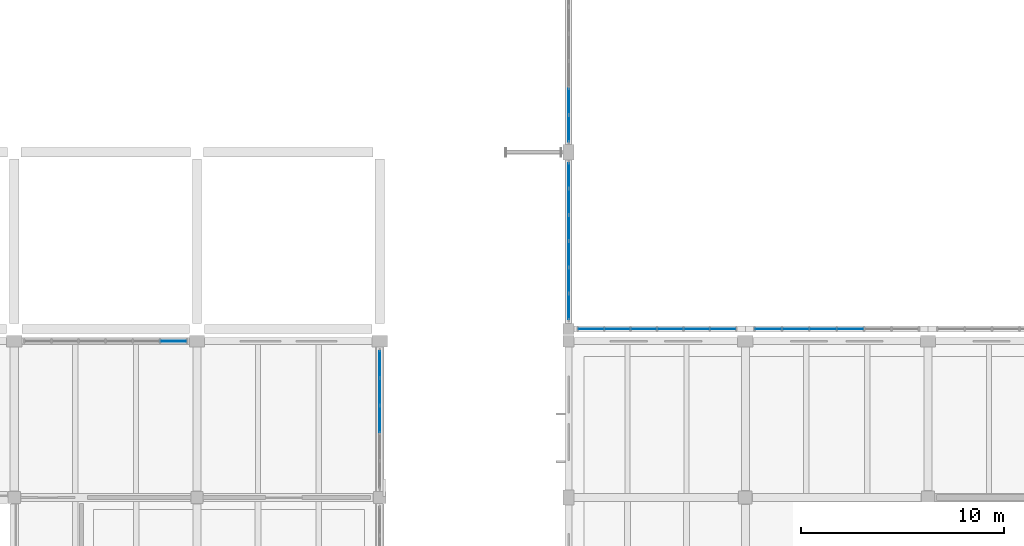
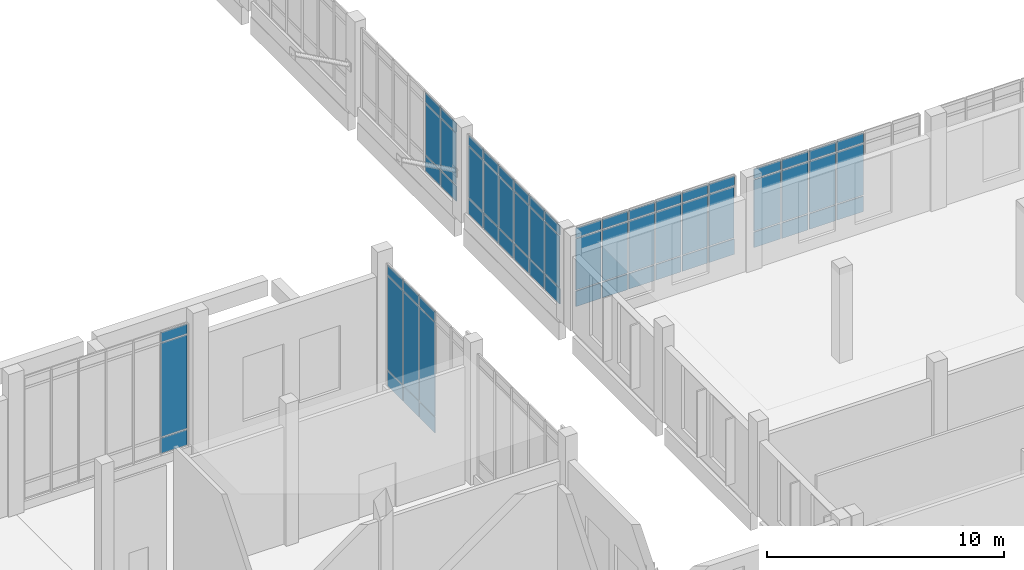
# One storey, part 63 of 110: 66 plates, 6 elements without a shape of their own.
"""IFC4 building model written with IfcOpenShell, lengths in metres."""

from ifc_helpers import new_model, si_unit, direction, frame, origin, origin_2d, place, context, subcontext, project, spatial, rectangle, extrude, material, layer, layer_set, type_object, element, aggregate, save


model = new_model("IFC4")

# Units and contexts
model_context = context("Model", 3, precision=1e-05, world=origin(), true_north=direction((0.0, 1.0)))
body_context = subcontext(model_context, "Body", "Model", "MODEL_VIEW")
ifc_project = project(units=[si_unit("LENGTHUNIT", "METRE"), si_unit("AREAUNIT", "SQUARE_METRE"), si_unit("VOLUMEUNIT", "CUBIC_METRE"), si_unit("PLANEANGLEUNIT", "RADIAN"), si_unit("MASSUNIT", "GRAM", prefix="KILO")], contexts=[model_context])

# Site, building, storey
site_placement = place(None, origin())
site = spatial("IfcSite", under=ifc_project, at=site_placement, CompositionType="ELEMENT")
building_placement = place(site_placement, origin())
building = spatial("IfcBuilding", under=site, at=building_placement, Name="Zacnel Wholesale Market", CompositionType="ELEMENT")
storey_placement = place(building_placement, frame((0.0, 0.0, 6.300048828125)))
storey = spatial("IfcBuildingStorey", under=building, at=storey_placement, Name="L02", CompositionType="ELEMENT", Elevation=6.300048828125)

# Curtain wall, plates
ifc_material_1 = material(Name="Anodised aluminium", Category="aluminium")
ifc_layer_1 = layer(ifc_material_1, 0.159912109375)
ifc_layer_set_1 = layer_set([ifc_layer_1], Name="Anodised aluminium")
curtain_wall_type_1 = type_object("IfcCurtainWallType", Name="CW-NAVE-4200", PredefinedType="NOTDEFINED", material=ifc_layer_set_1)
curtain_wall_1_placement = place(storey_placement, origin())
curtain_wall_1 = element("IfcCurtainWall", 1, at=curtain_wall_1_placement, inside=storey, type_object=curtain_wall_type_1, Name="Curtain wall ENV-R2-CW-L02-037", PredefinedType="NOTDEFINED")
ifc_material_2 = material(Name="Laminated hurricane-impact low-E insulated glass", Category="glass")
ifc_layer_2 = layer(ifc_material_2, 0.031982421875)
ifc_layer_set_2 = layer_set([ifc_layer_2], Name="Laminated hurricane-impact low-E insulated glass")
plate_type_1 = type_object("IfcPlateType", Name="CWP-PNL-02", PredefinedType="CURTAIN_PANEL", material=ifc_layer_set_2)
plate_1_placement = place(storey_placement, frame((145.39990234375, 48.300048828125, 1.330078125), z_axis=(0.0, 0.0, 1.0), x_axis=(1.0, 0.0, 0.0)))
plate_1 = element("IfcPlate", 2, at=plate_1_placement, type_object=plate_type_1, Name="ENV-R2-CW-L02-037 panel 1-2", PredefinedType="CURTAIN_PANEL", context=body_context, shape_type="SweptSolid", body=[
    extrude(rectangle(XDim=1.22998046875, YDim=0.031982421875, at=origin_2d()), origin(), (0.0, 0.0, 1.0), 2.639892578125),
])
plate_2_placement = place(storey_placement, frame((146.699951171875, 48.300048828125, 1.330078125), z_axis=(0.0, 0.0, 1.0), x_axis=(1.0, 0.0, 0.0)))
plate_2 = element("IfcPlate", 3, at=plate_2_placement, type_object=plate_type_1, Name="ENV-R2-CW-L02-037 panel 2-2", PredefinedType="CURTAIN_PANEL", context=body_context, shape_type="SweptSolid", body=[
    extrude(rectangle(XDim=1.22998046875, YDim=0.031982421875, at=origin_2d()), origin(), (0.0, 0.0, 1.0), 2.639892578125),
])
plate_3_placement = place(storey_placement, frame((148.0, 48.300048828125, 1.330078125), z_axis=(0.0, 0.0, 1.0), x_axis=(1.0, 0.0, 0.0)))
plate_3 = element("IfcPlate", 4, at=plate_3_placement, type_object=plate_type_1, Name="ENV-R2-CW-L02-037 panel 3-2", PredefinedType="CURTAIN_PANEL", context=body_context, shape_type="SweptSolid", body=[
    extrude(rectangle(XDim=1.22998046875, YDim=0.031982421875, at=origin_2d()), origin(), (0.0, 0.0, 1.0), 2.639892578125),
])
plate_4_placement = place(storey_placement, frame((149.300048828125, 48.300048828125, 1.330078125), z_axis=(0.0, 0.0, 1.0), x_axis=(1.0, 0.0, 0.0)))
plate_4 = element("IfcPlate", 5, at=plate_4_placement, type_object=plate_type_1, Name="ENV-R2-CW-L02-037 panel 4-2", PredefinedType="CURTAIN_PANEL", context=body_context, shape_type="SweptSolid", body=[
    extrude(rectangle(XDim=1.22998046875, YDim=0.031982421875, at=origin_2d()), origin(), (0.0, 0.0, 1.0), 2.639892578125),
])
plate_5_placement = place(storey_placement, frame((150.60009765625, 48.300048828125, 1.330078125), z_axis=(0.0, 0.0, 1.0), x_axis=(1.0, 0.0, 0.0)))
plate_5 = element("IfcPlate", 6, at=plate_5_placement, type_object=plate_type_1, Name="ENV-R2-CW-L02-037 panel 5-2", PredefinedType="CURTAIN_PANEL", context=body_context, shape_type="SweptSolid", body=[
    extrude(rectangle(XDim=1.22998046875, YDim=0.031982421875, at=origin_2d()), origin(), (0.0, 0.0, 1.0), 2.639892578125),
])
plate_6_placement = place(storey_placement, frame((151.89990234375, 48.300048828125, 1.330078125), z_axis=(0.0, 0.0, 1.0), x_axis=(1.0, 0.0, 0.0)))
plate_6 = element("IfcPlate", 7, at=plate_6_placement, type_object=plate_type_1, Name="ENV-R2-CW-L02-037 panel 6-2", PredefinedType="CURTAIN_PANEL", context=body_context, shape_type="SweptSolid", body=[
    extrude(rectangle(XDim=1.22998046875, YDim=0.031982421875, at=origin_2d()), origin(), (0.0, 0.0, 1.0), 2.639892578125),
])

curtain_wall_2_placement = place(storey_placement, origin())
curtain_wall_2 = element("IfcCurtainWall", 8, at=curtain_wall_2_placement, inside=storey, type_object=curtain_wall_type_1, Name="Curtain wall ENV-R2-CW-L02-038", PredefinedType="NOTDEFINED")
plate_7_placement = place(storey_placement, frame((154.125, 48.300048828125, 1.330078125), z_axis=(0.0, 0.0, 1.0), x_axis=(1.0, 0.0, 0.0)))
plate_7 = element("IfcPlate", 9, at=plate_7_placement, type_object=plate_type_1, Name="ENV-R2-CW-L02-038 panel 1-2", PredefinedType="CURTAIN_PANEL", context=body_context, shape_type="SweptSolid", body=[
    extrude(rectangle(XDim=1.280029296875, YDim=0.031982421875, at=origin_2d()), origin(), (0.0, 0.0, 1.0), 2.639892578125),
])
plate_8_placement = place(storey_placement, frame((155.47509765625, 48.300048828125, 1.330078125), z_axis=(0.0, 0.0, 1.0), x_axis=(1.0, 0.0, 0.0)))
plate_8 = element("IfcPlate", 10, at=plate_8_placement, type_object=plate_type_1, Name="ENV-R2-CW-L02-038 panel 2-2", PredefinedType="CURTAIN_PANEL", context=body_context, shape_type="SweptSolid", body=[
    extrude(rectangle(XDim=1.280029296875, YDim=0.031982421875, at=origin_2d()), origin(), (0.0, 0.0, 1.0), 2.639892578125),
])
plate_9_placement = place(storey_placement, frame((156.824951171875, 48.300048828125, 1.330078125), z_axis=(0.0, 0.0, 1.0), x_axis=(1.0, 0.0, 0.0)))
plate_9 = element("IfcPlate", 11, at=plate_9_placement, type_object=plate_type_1, Name="ENV-R2-CW-L02-038 panel 3-2", PredefinedType="CURTAIN_PANEL", context=body_context, shape_type="SweptSolid", body=[
    extrude(rectangle(XDim=1.280029296875, YDim=0.031982421875, at=origin_2d()), origin(), (0.0, 0.0, 1.0), 2.639892578125),
])
plate_10_placement = place(storey_placement, frame((158.175048828125, 48.300048828125, 1.330078125), z_axis=(0.0, 0.0, 1.0), x_axis=(1.0, 0.0, 0.0)))
plate_10 = element("IfcPlate", 12, at=plate_10_placement, type_object=plate_type_1, Name="ENV-R2-CW-L02-038 panel 4-2", PredefinedType="CURTAIN_PANEL", context=body_context, shape_type="SweptSolid", body=[
    extrude(rectangle(XDim=1.280029296875, YDim=0.031982421875, at=origin_2d()), origin(), (0.0, 0.0, 1.0), 2.639892578125),
])

curtain_wall_3_placement = place(storey_placement, origin())
curtain_wall_3 = element("IfcCurtainWall", 13, at=curtain_wall_3_placement, inside=storey, type_object=curtain_wall_type_1, Name="Curtain wall ENV-R2-CW-L02-041", PredefinedType="NOTDEFINED")
plate_11_placement = place(storey_placement, frame((144.300048828125, 49.396240234375, 1.330078125), z_axis=(0.0, 0.0, 1.0), x_axis=(0.0, 1.0, 0.0)))
plate_11 = element("IfcPlate", 14, at=plate_11_placement, type_object=plate_type_1, Name="ENV-R2-CW-L02-041 panel 1-2", PredefinedType="CURTAIN_PANEL", context=body_context, shape_type="SweptSolid", body=[
    extrude(rectangle(XDim=1.222412109375, YDim=0.031982421875, at=origin_2d()), origin(), (0.0, 0.0, 1.0), 2.639892578125),
])
plate_12_placement = place(storey_placement, frame((144.300048828125, 50.688720703125, 1.330078125), z_axis=(0.0, 0.0, 1.0), x_axis=(0.0, 1.0, 0.0)))
plate_12 = element("IfcPlate", 15, at=plate_12_placement, type_object=plate_type_1, Name="ENV-R2-CW-L02-041 panel 2-2", PredefinedType="CURTAIN_PANEL", context=body_context, shape_type="SweptSolid", body=[
    extrude(rectangle(XDim=1.222412109375, YDim=0.031982421875, at=origin_2d()), origin(), (0.0, 0.0, 1.0), 2.639892578125),
])
plate_13_placement = place(storey_placement, frame((144.300048828125, 51.981201171875, 1.330078125), z_axis=(0.0, 0.0, 1.0), x_axis=(0.0, 1.0, 0.0)))
plate_13 = element("IfcPlate", 16, at=plate_13_placement, type_object=plate_type_1, Name="ENV-R2-CW-L02-041 panel 3-2", PredefinedType="CURTAIN_PANEL", context=body_context, shape_type="SweptSolid", body=[
    extrude(rectangle(XDim=1.222412109375, YDim=0.031982421875, at=origin_2d()), origin(), (0.0, 0.0, 1.0), 2.639892578125),
])
plate_14_placement = place(storey_placement, frame((144.300048828125, 53.273681640625, 1.330078125), z_axis=(0.0, 0.0, 1.0), x_axis=(0.0, 1.0, 0.0)))
plate_14 = element("IfcPlate", 17, at=plate_14_placement, type_object=plate_type_1, Name="ENV-R2-CW-L02-041 panel 4-2", PredefinedType="CURTAIN_PANEL", context=body_context, shape_type="SweptSolid", body=[
    extrude(rectangle(XDim=1.222412109375, YDim=0.031982421875, at=origin_2d()), origin(), (0.0, 0.0, 1.0), 2.639892578125),
])
plate_15_placement = place(storey_placement, frame((144.300048828125, 54.566162109375, 1.330078125), z_axis=(0.0, 0.0, 1.0), x_axis=(0.0, 1.0, 0.0)))
plate_15 = element("IfcPlate", 18, at=plate_15_placement, type_object=plate_type_1, Name="ENV-R2-CW-L02-041 panel 5-2", PredefinedType="CURTAIN_PANEL", context=body_context, shape_type="SweptSolid", body=[
    extrude(rectangle(XDim=1.222412109375, YDim=0.031982421875, at=origin_2d()), origin(), (0.0, 0.0, 1.0), 2.639892578125),
])
plate_16_placement = place(storey_placement, frame((144.300048828125, 55.85888671875, 1.330078125), z_axis=(0.0, 0.0, 1.0), x_axis=(0.0, 1.0, 0.0)))
plate_16 = element("IfcPlate", 19, at=plate_16_placement, type_object=plate_type_1, Name="ENV-R2-CW-L02-041 panel 6-2", PredefinedType="CURTAIN_PANEL", context=body_context, shape_type="SweptSolid", body=[
    extrude(rectangle(XDim=1.222412109375, YDim=0.031982421875, at=origin_2d()), origin(), (0.0, 0.0, 1.0), 2.639892578125),
])

curtain_wall_4_placement = place(storey_placement, origin())
curtain_wall_4 = element("IfcCurtainWall", 20, at=curtain_wall_4_placement, inside=storey, type_object=curtain_wall_type_1, Name="Curtain wall ENV-R2-CW-L02-042", PredefinedType="NOTDEFINED")
plate_17_placement = place(storey_placement, frame((144.300048828125, 58.16259765625, 1.330078125), z_axis=(0.0, 0.0, 1.0), x_axis=(0.0, 1.0, 0.0)))
plate_17 = element("IfcPlate", 21, at=plate_17_placement, type_object=plate_type_1, Name="ENV-R2-CW-L02-042 panel 1-2", PredefinedType="CURTAIN_PANEL", context=body_context, shape_type="SweptSolid", body=[
    extrude(rectangle(XDim=1.264892578125, YDim=0.031982421875, at=origin_2d()), origin(), (0.0, 0.0, 1.0), 2.639892578125),
])
plate_18_placement = place(storey_placement, frame((144.300048828125, 59.49755859375, 1.330078125), z_axis=(0.0, 0.0, 1.0), x_axis=(0.0, 1.0, 0.0)))
plate_18 = element("IfcPlate", 22, at=plate_18_placement, type_object=plate_type_1, Name="ENV-R2-CW-L02-042 panel 2-2", PredefinedType="CURTAIN_PANEL", context=body_context, shape_type="SweptSolid", body=[
    extrude(rectangle(XDim=1.264892578125, YDim=0.031982421875, at=origin_2d()), origin(), (0.0, 0.0, 1.0), 2.639892578125),
])

# Curtain wall, plate
ifc_material_3 = material(Name="Anodised aluminium", Category="aluminium")
ifc_layer_3 = layer(ifc_material_3, 0.179931640625)
ifc_layer_set_3 = layer_set([ifc_layer_3], Name="Anodised aluminium")
curtain_wall_type_2 = type_object("IfcCurtainWallType", Name="CW-AUCT-5800", PredefinedType="NOTDEFINED", material=ifc_layer_set_3)
curtain_wall_5_placement = place(storey_placement, origin())
curtain_wall_5 = element("IfcCurtainWall", 23, at=curtain_wall_5_placement, inside=storey, type_object=curtain_wall_type_2, Name="Curtain wall ENV-R2-CW-L02-012", PredefinedType="NOTDEFINED")
ifc_material_4 = material(Name="Laminated hurricane-impact low-E insulated glass", Category="glass")
ifc_layer_4 = layer(ifc_material_4, 0.035888671875)
ifc_layer_set_4 = layer_set([ifc_layer_4], Name="Laminated hurricane-impact low-E insulated glass")
plate_type_2 = type_object("IfcPlateType", Name="CWP-PNL-04", PredefinedType="CURTAIN_PANEL", material=ifc_layer_set_4)
plate_19_placement = place(storey_placement, frame((124.83740234375, 47.699951171875, 1.329833984375), z_axis=(0.0, 0.0, 1.0), x_axis=(1.0, 0.0, 0.0)))
plate_19 = element("IfcPlate", 24, at=plate_19_placement, type_object=plate_type_2, Name="ENV-R2-CW-L02-012 panel 6-2", PredefinedType="CURTAIN_PANEL", context=body_context, shape_type="SweptSolid", body=[
    extrude(rectangle(XDim=1.264892578125, YDim=0.035888671875, at=origin_2d()), origin(), (0.0, 0.0, 1.0), 4.830078125),
])

# Curtain wall, plates
curtain_wall_6_placement = place(storey_placement, origin())
curtain_wall_6 = element("IfcCurtainWall", 25, at=curtain_wall_6_placement, inside=storey, type_object=curtain_wall_type_2, Name="Curtain wall ENV-R2-CW-L02-015", PredefinedType="NOTDEFINED")
plate_20_placement = place(storey_placement, frame((135.0, 43.85009765625, 1.329833984375), z_axis=(0.0, 0.0, 1.0), x_axis=(0.0, 1.0, 0.0)))
plate_20 = element("IfcPlate", 26, at=plate_20_placement, type_object=plate_type_2, Name="ENV-R2-CW-L02-015 panel 3-2", PredefinedType="CURTAIN_PANEL", context=body_context, shape_type="SweptSolid", body=[
    extrude(rectangle(XDim=1.2900390625, YDim=0.035888671875, at=origin_2d()), origin(), (0.0, 0.0, 1.0), 4.830078125),
])
plate_21_placement = place(storey_placement, frame((135.0, 45.2099609375, 1.329833984375), z_axis=(0.0, 0.0, 1.0), x_axis=(0.0, 1.0, 0.0)))
plate_21 = element("IfcPlate", 27, at=plate_21_placement, type_object=plate_type_2, Name="ENV-R2-CW-L02-015 panel 4-2", PredefinedType="CURTAIN_PANEL", context=body_context, shape_type="SweptSolid", body=[
    extrude(rectangle(XDim=1.2900390625, YDim=0.035888671875, at=origin_2d()), origin(), (0.0, 0.0, 1.0), 4.830078125),
])
plate_22_placement = place(storey_placement, frame((135.0, 46.570068359375, 1.329833984375), z_axis=(0.0, 0.0, 1.0), x_axis=(0.0, 1.0, 0.0)))
plate_22 = element("IfcPlate", 28, at=plate_22_placement, type_object=plate_type_2, Name="ENV-R2-CW-L02-015 panel 5-2", PredefinedType="CURTAIN_PANEL", context=body_context, shape_type="SweptSolid", body=[
    extrude(rectangle(XDim=1.2900390625, YDim=0.035888671875, at=origin_2d()), origin(), (0.0, 0.0, 1.0), 4.830078125),
])
ifc_material_5 = material(Name="Anodised aluminium", Category="aluminium")
ifc_layer_5 = layer(ifc_material_5, 0.0400390625)
ifc_layer_set_5 = layer_set([ifc_layer_5], Name="Anodised aluminium")
plate_type_3 = type_object("IfcPlateType", Name="CWP-PNL-05", PredefinedType="CURTAIN_PANEL", material=ifc_layer_set_5)
plate_23_placement = place(storey_placement, frame((135.0, 43.85009765625, 0.47998046875), z_axis=(0.0, 0.0, 1.0), x_axis=(0.0, 1.0, 0.0)))
plate_23 = element("IfcPlate", 29, at=plate_23_placement, type_object=plate_type_3, Name="ENV-R2-CW-L02-015 panel 3-1", PredefinedType="CURTAIN_PANEL", context=body_context, shape_type="SweptSolid", body=[
    extrude(rectangle(XDim=1.2900390625, YDim=0.0400390625, at=origin_2d()), origin(), (0.0, 0.0, 1.0), 0.7900390625),
])
plate_24_placement = place(storey_placement, frame((135.0, 43.85009765625, 6.2197265625), z_axis=(0.0, 0.0, 1.0), x_axis=(0.0, 1.0, 0.0)))
plate_24 = element("IfcPlate", 30, at=plate_24_placement, type_object=plate_type_3, Name="ENV-R2-CW-L02-015 panel 3-3", PredefinedType="CURTAIN_PANEL", context=body_context, shape_type="SweptSolid", body=[
    extrude(rectangle(XDim=1.2900390625, YDim=0.0400390625, at=origin_2d()), origin(), (0.0, 0.0, 1.0), 0.489990234375),
])
plate_25_placement = place(storey_placement, frame((135.0, 46.570068359375, 0.47998046875), z_axis=(0.0, 0.0, 1.0), x_axis=(0.0, 1.0, 0.0)))
plate_25 = element("IfcPlate", 31, at=plate_25_placement, type_object=plate_type_3, Name="ENV-R2-CW-L02-015 panel 5-1", PredefinedType="CURTAIN_PANEL", context=body_context, shape_type="SweptSolid", body=[
    extrude(rectangle(XDim=1.2900390625, YDim=0.0400390625, at=origin_2d()), origin(), (0.0, 0.0, 1.0), 0.7900390625),
])
plate_26_placement = place(storey_placement, frame((135.0, 46.570068359375, 6.2197265625), z_axis=(0.0, 0.0, 1.0), x_axis=(0.0, 1.0, 0.0)))
plate_26 = element("IfcPlate", 32, at=plate_26_placement, type_object=plate_type_3, Name="ENV-R2-CW-L02-015 panel 5-3", PredefinedType="CURTAIN_PANEL", context=body_context, shape_type="SweptSolid", body=[
    extrude(rectangle(XDim=1.2900390625, YDim=0.0400390625, at=origin_2d()), origin(), (0.0, 0.0, 1.0), 0.489990234375),
])

# Plate
plate_27_placement = place(storey_placement, frame((145.39990234375, 48.300048828125, 0.47998046875), z_axis=(0.0, 0.0, 1.0), x_axis=(1.0, 0.0, 0.0)))
plate_27 = element("IfcPlate", 33, at=plate_27_placement, type_object=plate_type_3, Name="ENV-R2-CW-L02-037 panel 1-1", PredefinedType="CURTAIN_PANEL", context=body_context, shape_type="SweptSolid", body=[
    extrude(rectangle(XDim=1.22998046875, YDim=0.0400390625, at=origin_2d()), origin(), (0.0, 0.0, 1.0), 0.7900390625),
])

plate_28_placement = place(storey_placement, frame((145.39990234375, 48.300048828125, 4.02978515625), z_axis=(0.0, 0.0, 1.0), x_axis=(1.0, 0.0, 0.0)))
plate_28 = element("IfcPlate", 34, at=plate_28_placement, type_object=plate_type_3, Name="ENV-R2-CW-L02-037 panel 1-3", PredefinedType="CURTAIN_PANEL", context=body_context, shape_type="SweptSolid", body=[
    extrude(rectangle(XDim=1.22998046875, YDim=0.0400390625, at=origin_2d()), origin(), (0.0, 0.0, 1.0), 0.489990234375),
])

plate_29_placement = place(storey_placement, frame((148.0, 48.300048828125, 0.47998046875), z_axis=(0.0, 0.0, 1.0), x_axis=(1.0, 0.0, 0.0)))
plate_29 = element("IfcPlate", 35, at=plate_29_placement, type_object=plate_type_3, Name="ENV-R2-CW-L02-037 panel 3-1", PredefinedType="CURTAIN_PANEL", context=body_context, shape_type="SweptSolid", body=[
    extrude(rectangle(XDim=1.22998046875, YDim=0.0400390625, at=origin_2d()), origin(), (0.0, 0.0, 1.0), 0.7900390625),
])

plate_30_placement = place(storey_placement, frame((148.0, 48.300048828125, 4.02978515625), z_axis=(0.0, 0.0, 1.0), x_axis=(1.0, 0.0, 0.0)))
plate_30 = element("IfcPlate", 36, at=plate_30_placement, type_object=plate_type_3, Name="ENV-R2-CW-L02-037 panel 3-3", PredefinedType="CURTAIN_PANEL", context=body_context, shape_type="SweptSolid", body=[
    extrude(rectangle(XDim=1.22998046875, YDim=0.0400390625, at=origin_2d()), origin(), (0.0, 0.0, 1.0), 0.489990234375),
])

plate_31_placement = place(storey_placement, frame((150.60009765625, 48.300048828125, 0.47998046875), z_axis=(0.0, 0.0, 1.0), x_axis=(1.0, 0.0, 0.0)))
plate_31 = element("IfcPlate", 37, at=plate_31_placement, type_object=plate_type_3, Name="ENV-R2-CW-L02-037 panel 5-1", PredefinedType="CURTAIN_PANEL", context=body_context, shape_type="SweptSolid", body=[
    extrude(rectangle(XDim=1.22998046875, YDim=0.0400390625, at=origin_2d()), origin(), (0.0, 0.0, 1.0), 0.7900390625),
])

plate_32_placement = place(storey_placement, frame((150.60009765625, 48.300048828125, 4.02978515625), z_axis=(0.0, 0.0, 1.0), x_axis=(1.0, 0.0, 0.0)))
plate_32 = element("IfcPlate", 38, at=plate_32_placement, type_object=plate_type_3, Name="ENV-R2-CW-L02-037 panel 5-3", PredefinedType="CURTAIN_PANEL", context=body_context, shape_type="SweptSolid", body=[
    extrude(rectangle(XDim=1.22998046875, YDim=0.0400390625, at=origin_2d()), origin(), (0.0, 0.0, 1.0), 0.489990234375),
])

plate_33_placement = place(storey_placement, frame((154.125, 48.300048828125, 0.47998046875), z_axis=(0.0, 0.0, 1.0), x_axis=(1.0, 0.0, 0.0)))
plate_33 = element("IfcPlate", 39, at=plate_33_placement, type_object=plate_type_3, Name="ENV-R2-CW-L02-038 panel 1-1", PredefinedType="CURTAIN_PANEL", context=body_context, shape_type="SweptSolid", body=[
    extrude(rectangle(XDim=1.280029296875, YDim=0.0400390625, at=origin_2d()), origin(), (0.0, 0.0, 1.0), 0.7900390625),
])

plate_34_placement = place(storey_placement, frame((154.125, 48.300048828125, 4.02978515625), z_axis=(0.0, 0.0, 1.0), x_axis=(1.0, 0.0, 0.0)))
plate_34 = element("IfcPlate", 40, at=plate_34_placement, type_object=plate_type_3, Name="ENV-R2-CW-L02-038 panel 1-3", PredefinedType="CURTAIN_PANEL", context=body_context, shape_type="SweptSolid", body=[
    extrude(rectangle(XDim=1.280029296875, YDim=0.0400390625, at=origin_2d()), origin(), (0.0, 0.0, 1.0), 0.489990234375),
])

plate_35_placement = place(storey_placement, frame((156.824951171875, 48.300048828125, 0.47998046875), z_axis=(0.0, 0.0, 1.0), x_axis=(1.0, 0.0, 0.0)))
plate_35 = element("IfcPlate", 41, at=plate_35_placement, type_object=plate_type_3, Name="ENV-R2-CW-L02-038 panel 3-1", PredefinedType="CURTAIN_PANEL", context=body_context, shape_type="SweptSolid", body=[
    extrude(rectangle(XDim=1.280029296875, YDim=0.0400390625, at=origin_2d()), origin(), (0.0, 0.0, 1.0), 0.7900390625),
])

plate_36_placement = place(storey_placement, frame((156.824951171875, 48.300048828125, 4.02978515625), z_axis=(0.0, 0.0, 1.0), x_axis=(1.0, 0.0, 0.0)))
plate_36 = element("IfcPlate", 42, at=plate_36_placement, type_object=plate_type_3, Name="ENV-R2-CW-L02-038 panel 3-3", PredefinedType="CURTAIN_PANEL", context=body_context, shape_type="SweptSolid", body=[
    extrude(rectangle(XDim=1.280029296875, YDim=0.0400390625, at=origin_2d()), origin(), (0.0, 0.0, 1.0), 0.489990234375),
])

plate_37_placement = place(storey_placement, frame((144.300048828125, 49.396240234375, 0.47998046875), z_axis=(0.0, 0.0, 1.0), x_axis=(0.0, 1.0, 0.0)))
plate_37 = element("IfcPlate", 43, at=plate_37_placement, type_object=plate_type_3, Name="ENV-R2-CW-L02-041 panel 1-1", PredefinedType="CURTAIN_PANEL", context=body_context, shape_type="SweptSolid", body=[
    extrude(rectangle(XDim=1.222412109375, YDim=0.0400390625, at=origin_2d()), origin(), (0.0, 0.0, 1.0), 0.7900390625),
])

plate_38_placement = place(storey_placement, frame((144.300048828125, 49.396240234375, 4.02978515625), z_axis=(0.0, 0.0, 1.0), x_axis=(0.0, 1.0, 0.0)))
plate_38 = element("IfcPlate", 44, at=plate_38_placement, type_object=plate_type_3, Name="ENV-R2-CW-L02-041 panel 1-3", PredefinedType="CURTAIN_PANEL", context=body_context, shape_type="SweptSolid", body=[
    extrude(rectangle(XDim=1.222412109375, YDim=0.0400390625, at=origin_2d()), origin(), (0.0, 0.0, 1.0), 0.489990234375),
])

plate_39_placement = place(storey_placement, frame((144.300048828125, 51.981201171875, 0.47998046875), z_axis=(0.0, 0.0, 1.0), x_axis=(0.0, 1.0, 0.0)))
plate_39 = element("IfcPlate", 45, at=plate_39_placement, type_object=plate_type_3, Name="ENV-R2-CW-L02-041 panel 3-1", PredefinedType="CURTAIN_PANEL", context=body_context, shape_type="SweptSolid", body=[
    extrude(rectangle(XDim=1.222412109375, YDim=0.0400390625, at=origin_2d()), origin(), (0.0, 0.0, 1.0), 0.7900390625),
])

plate_40_placement = place(storey_placement, frame((144.300048828125, 51.981201171875, 4.02978515625), z_axis=(0.0, 0.0, 1.0), x_axis=(0.0, 1.0, 0.0)))
plate_40 = element("IfcPlate", 46, at=plate_40_placement, type_object=plate_type_3, Name="ENV-R2-CW-L02-041 panel 3-3", PredefinedType="CURTAIN_PANEL", context=body_context, shape_type="SweptSolid", body=[
    extrude(rectangle(XDim=1.222412109375, YDim=0.0400390625, at=origin_2d()), origin(), (0.0, 0.0, 1.0), 0.489990234375),
])

plate_41_placement = place(storey_placement, frame((144.300048828125, 54.566162109375, 0.47998046875), z_axis=(0.0, 0.0, 1.0), x_axis=(0.0, 1.0, 0.0)))
plate_41 = element("IfcPlate", 47, at=plate_41_placement, type_object=plate_type_3, Name="ENV-R2-CW-L02-041 panel 5-1", PredefinedType="CURTAIN_PANEL", context=body_context, shape_type="SweptSolid", body=[
    extrude(rectangle(XDim=1.222412109375, YDim=0.0400390625, at=origin_2d()), origin(), (0.0, 0.0, 1.0), 0.7900390625),
])

plate_42_placement = place(storey_placement, frame((144.300048828125, 54.566162109375, 4.02978515625), z_axis=(0.0, 0.0, 1.0), x_axis=(0.0, 1.0, 0.0)))
plate_42 = element("IfcPlate", 48, at=plate_42_placement, type_object=plate_type_3, Name="ENV-R2-CW-L02-041 panel 5-3", PredefinedType="CURTAIN_PANEL", context=body_context, shape_type="SweptSolid", body=[
    extrude(rectangle(XDim=1.222412109375, YDim=0.0400390625, at=origin_2d()), origin(), (0.0, 0.0, 1.0), 0.489990234375),
])

plate_43_placement = place(storey_placement, frame((144.300048828125, 58.16259765625, 0.47998046875), z_axis=(0.0, 0.0, 1.0), x_axis=(0.0, 1.0, 0.0)))
plate_43 = element("IfcPlate", 49, at=plate_43_placement, type_object=plate_type_3, Name="ENV-R2-CW-L02-042 panel 1-1", PredefinedType="CURTAIN_PANEL", context=body_context, shape_type="SweptSolid", body=[
    extrude(rectangle(XDim=1.264892578125, YDim=0.0400390625, at=origin_2d()), origin(), (0.0, 0.0, 1.0), 0.7900390625),
])

plate_44_placement = place(storey_placement, frame((144.300048828125, 58.16259765625, 4.02978515625), z_axis=(0.0, 0.0, 1.0), x_axis=(0.0, 1.0, 0.0)))
plate_44 = element("IfcPlate", 50, at=plate_44_placement, type_object=plate_type_3, Name="ENV-R2-CW-L02-042 panel 1-3", PredefinedType="CURTAIN_PANEL", context=body_context, shape_type="SweptSolid", body=[
    extrude(rectangle(XDim=1.264892578125, YDim=0.0400390625, at=origin_2d()), origin(), (0.0, 0.0, 1.0), 0.489990234375),
])

ifc_material_6 = material(Name="Honed Yucatan Maya cream limestone", Category="masonry")
ifc_layer_6 = layer(ifc_material_6, 0.044921875)
ifc_layer_set_6 = layer_set([ifc_layer_6], Name="Honed Yucatan Maya cream limestone")
plate_type_4 = type_object("IfcPlateType", Name="CWP-PNL-06", PredefinedType="CURTAIN_PANEL", material=ifc_layer_set_6)
plate_45_placement = place(storey_placement, frame((124.83740234375, 47.699951171875, 0.47998046875), z_axis=(0.0, 0.0, 1.0), x_axis=(1.0, 0.0, 0.0)))
plate_45 = element("IfcPlate", 51, at=plate_45_placement, type_object=plate_type_4, Name="ENV-R2-CW-L02-012 panel 6-1", PredefinedType="CURTAIN_PANEL", context=body_context, shape_type="SweptSolid", body=[
    extrude(rectangle(XDim=1.264892578125, YDim=0.044921875, at=origin_2d()), origin(), (0.0, 0.0, 1.0), 0.7900390625),
])

plate_46_placement = place(storey_placement, frame((124.83740234375, 47.699951171875, 6.2197265625), z_axis=(0.0, 0.0, 1.0), x_axis=(1.0, 0.0, 0.0)))
plate_46 = element("IfcPlate", 52, at=plate_46_placement, type_object=plate_type_4, Name="ENV-R2-CW-L02-012 panel 6-3", PredefinedType="CURTAIN_PANEL", context=body_context, shape_type="SweptSolid", body=[
    extrude(rectangle(XDim=1.264892578125, YDim=0.044921875, at=origin_2d()), origin(), (0.0, 0.0, 1.0), 0.489990234375),
])

aggregate(curtain_wall_5, [plate_45, plate_19, plate_46])

plate_47_placement = place(storey_placement, frame((135.0, 45.2099609375, 0.47998046875), z_axis=(0.0, 0.0, 1.0), x_axis=(0.0, 1.0, 0.0)))
plate_47 = element("IfcPlate", 53, at=plate_47_placement, type_object=plate_type_4, Name="ENV-R2-CW-L02-015 panel 4-1", PredefinedType="CURTAIN_PANEL", context=body_context, shape_type="SweptSolid", body=[
    extrude(rectangle(XDim=1.2900390625, YDim=0.044921875, at=origin_2d()), origin(), (0.0, 0.0, 1.0), 0.7900390625),
])

plate_48_placement = place(storey_placement, frame((135.0, 45.2099609375, 6.2197265625), z_axis=(0.0, 0.0, 1.0), x_axis=(0.0, 1.0, 0.0)))
plate_48 = element("IfcPlate", 54, at=plate_48_placement, type_object=plate_type_4, Name="ENV-R2-CW-L02-015 panel 4-3", PredefinedType="CURTAIN_PANEL", context=body_context, shape_type="SweptSolid", body=[
    extrude(rectangle(XDim=1.2900390625, YDim=0.044921875, at=origin_2d()), origin(), (0.0, 0.0, 1.0), 0.489990234375),
])

aggregate(curtain_wall_6, [plate_23, plate_20, plate_24, plate_47, plate_21, plate_48, plate_25, plate_22, plate_26])

plate_49_placement = place(storey_placement, frame((146.699951171875, 48.300048828125, 0.47998046875), z_axis=(0.0, 0.0, 1.0), x_axis=(1.0, 0.0, 0.0)))
plate_49 = element("IfcPlate", 55, at=plate_49_placement, type_object=plate_type_4, Name="ENV-R2-CW-L02-037 panel 2-1", PredefinedType="CURTAIN_PANEL", context=body_context, shape_type="SweptSolid", body=[
    extrude(rectangle(XDim=1.22998046875, YDim=0.044921875, at=origin_2d()), origin(), (0.0, 0.0, 1.0), 0.7900390625),
])

plate_50_placement = place(storey_placement, frame((146.699951171875, 48.300048828125, 4.02978515625), z_axis=(0.0, 0.0, 1.0), x_axis=(1.0, 0.0, 0.0)))
plate_50 = element("IfcPlate", 56, at=plate_50_placement, type_object=plate_type_4, Name="ENV-R2-CW-L02-037 panel 2-3", PredefinedType="CURTAIN_PANEL", context=body_context, shape_type="SweptSolid", body=[
    extrude(rectangle(XDim=1.22998046875, YDim=0.044921875, at=origin_2d()), origin(), (0.0, 0.0, 1.0), 0.489990234375),
])

plate_51_placement = place(storey_placement, frame((149.300048828125, 48.300048828125, 0.47998046875), z_axis=(0.0, 0.0, 1.0), x_axis=(1.0, 0.0, 0.0)))
plate_51 = element("IfcPlate", 57, at=plate_51_placement, type_object=plate_type_4, Name="ENV-R2-CW-L02-037 panel 4-1", PredefinedType="CURTAIN_PANEL", context=body_context, shape_type="SweptSolid", body=[
    extrude(rectangle(XDim=1.22998046875, YDim=0.044921875, at=origin_2d()), origin(), (0.0, 0.0, 1.0), 0.7900390625),
])

plate_52_placement = place(storey_placement, frame((149.300048828125, 48.300048828125, 4.02978515625), z_axis=(0.0, 0.0, 1.0), x_axis=(1.0, 0.0, 0.0)))
plate_52 = element("IfcPlate", 58, at=plate_52_placement, type_object=plate_type_4, Name="ENV-R2-CW-L02-037 panel 4-3", PredefinedType="CURTAIN_PANEL", context=body_context, shape_type="SweptSolid", body=[
    extrude(rectangle(XDim=1.22998046875, YDim=0.044921875, at=origin_2d()), origin(), (0.0, 0.0, 1.0), 0.489990234375),
])

plate_53_placement = place(storey_placement, frame((151.89990234375, 48.300048828125, 0.47998046875), z_axis=(0.0, 0.0, 1.0), x_axis=(1.0, 0.0, 0.0)))
plate_53 = element("IfcPlate", 59, at=plate_53_placement, type_object=plate_type_4, Name="ENV-R2-CW-L02-037 panel 6-1", PredefinedType="CURTAIN_PANEL", context=body_context, shape_type="SweptSolid", body=[
    extrude(rectangle(XDim=1.22998046875, YDim=0.044921875, at=origin_2d()), origin(), (0.0, 0.0, 1.0), 0.7900390625),
])

plate_54_placement = place(storey_placement, frame((151.89990234375, 48.300048828125, 4.02978515625), z_axis=(0.0, 0.0, 1.0), x_axis=(1.0, 0.0, 0.0)))
plate_54 = element("IfcPlate", 60, at=plate_54_placement, type_object=plate_type_4, Name="ENV-R2-CW-L02-037 panel 6-3", PredefinedType="CURTAIN_PANEL", context=body_context, shape_type="SweptSolid", body=[
    extrude(rectangle(XDim=1.22998046875, YDim=0.044921875, at=origin_2d()), origin(), (0.0, 0.0, 1.0), 0.489990234375),
])

aggregate(curtain_wall_1, [plate_27, plate_1, plate_28, plate_49, plate_2, plate_50, plate_29, plate_3, plate_30, plate_51, plate_4, plate_52, plate_31, plate_5, plate_32, plate_53, plate_6, plate_54])

plate_55_placement = place(storey_placement, frame((155.47509765625, 48.300048828125, 0.47998046875), z_axis=(0.0, 0.0, 1.0), x_axis=(1.0, 0.0, 0.0)))
plate_55 = element("IfcPlate", 61, at=plate_55_placement, type_object=plate_type_4, Name="ENV-R2-CW-L02-038 panel 2-1", PredefinedType="CURTAIN_PANEL", context=body_context, shape_type="SweptSolid", body=[
    extrude(rectangle(XDim=1.280029296875, YDim=0.044921875, at=origin_2d()), origin(), (0.0, 0.0, 1.0), 0.7900390625),
])

plate_56_placement = place(storey_placement, frame((155.47509765625, 48.300048828125, 4.02978515625), z_axis=(0.0, 0.0, 1.0), x_axis=(1.0, 0.0, 0.0)))
plate_56 = element("IfcPlate", 62, at=plate_56_placement, type_object=plate_type_4, Name="ENV-R2-CW-L02-038 panel 2-3", PredefinedType="CURTAIN_PANEL", context=body_context, shape_type="SweptSolid", body=[
    extrude(rectangle(XDim=1.280029296875, YDim=0.044921875, at=origin_2d()), origin(), (0.0, 0.0, 1.0), 0.489990234375),
])

plate_57_placement = place(storey_placement, frame((158.175048828125, 48.300048828125, 0.47998046875), z_axis=(0.0, 0.0, 1.0), x_axis=(1.0, 0.0, 0.0)))
plate_57 = element("IfcPlate", 63, at=plate_57_placement, type_object=plate_type_4, Name="ENV-R2-CW-L02-038 panel 4-1", PredefinedType="CURTAIN_PANEL", context=body_context, shape_type="SweptSolid", body=[
    extrude(rectangle(XDim=1.280029296875, YDim=0.044921875, at=origin_2d()), origin(), (0.0, 0.0, 1.0), 0.7900390625),
])

plate_58_placement = place(storey_placement, frame((158.175048828125, 48.300048828125, 4.02978515625), z_axis=(0.0, 0.0, 1.0), x_axis=(1.0, 0.0, 0.0)))
plate_58 = element("IfcPlate", 64, at=plate_58_placement, type_object=plate_type_4, Name="ENV-R2-CW-L02-038 panel 4-3", PredefinedType="CURTAIN_PANEL", context=body_context, shape_type="SweptSolid", body=[
    extrude(rectangle(XDim=1.280029296875, YDim=0.044921875, at=origin_2d()), origin(), (0.0, 0.0, 1.0), 0.489990234375),
])

aggregate(curtain_wall_2, [plate_33, plate_7, plate_34, plate_55, plate_8, plate_56, plate_35, plate_9, plate_36, plate_57, plate_10, plate_58])

plate_59_placement = place(storey_placement, frame((144.300048828125, 50.688720703125, 0.47998046875), z_axis=(0.0, 0.0, 1.0), x_axis=(0.0, 1.0, 0.0)))
plate_59 = element("IfcPlate", 65, at=plate_59_placement, type_object=plate_type_4, Name="ENV-R2-CW-L02-041 panel 2-1", PredefinedType="CURTAIN_PANEL", context=body_context, shape_type="SweptSolid", body=[
    extrude(rectangle(XDim=1.222412109375, YDim=0.044921875, at=origin_2d()), origin(), (0.0, 0.0, 1.0), 0.7900390625),
])

plate_60_placement = place(storey_placement, frame((144.300048828125, 50.688720703125, 4.02978515625), z_axis=(0.0, 0.0, 1.0), x_axis=(0.0, 1.0, 0.0)))
plate_60 = element("IfcPlate", 66, at=plate_60_placement, type_object=plate_type_4, Name="ENV-R2-CW-L02-041 panel 2-3", PredefinedType="CURTAIN_PANEL", context=body_context, shape_type="SweptSolid", body=[
    extrude(rectangle(XDim=1.222412109375, YDim=0.044921875, at=origin_2d()), origin(), (0.0, 0.0, 1.0), 0.489990234375),
])

plate_61_placement = place(storey_placement, frame((144.300048828125, 53.273681640625, 0.47998046875), z_axis=(0.0, 0.0, 1.0), x_axis=(0.0, 1.0, 0.0)))
plate_61 = element("IfcPlate", 67, at=plate_61_placement, type_object=plate_type_4, Name="ENV-R2-CW-L02-041 panel 4-1", PredefinedType="CURTAIN_PANEL", context=body_context, shape_type="SweptSolid", body=[
    extrude(rectangle(XDim=1.222412109375, YDim=0.044921875, at=origin_2d()), origin(), (0.0, 0.0, 1.0), 0.7900390625),
])

plate_62_placement = place(storey_placement, frame((144.300048828125, 53.273681640625, 4.02978515625), z_axis=(0.0, 0.0, 1.0), x_axis=(0.0, 1.0, 0.0)))
plate_62 = element("IfcPlate", 68, at=plate_62_placement, type_object=plate_type_4, Name="ENV-R2-CW-L02-041 panel 4-3", PredefinedType="CURTAIN_PANEL", context=body_context, shape_type="SweptSolid", body=[
    extrude(rectangle(XDim=1.222412109375, YDim=0.044921875, at=origin_2d()), origin(), (0.0, 0.0, 1.0), 0.489990234375),
])

plate_63_placement = place(storey_placement, frame((144.300048828125, 55.85888671875, 0.47998046875), z_axis=(0.0, 0.0, 1.0), x_axis=(0.0, 1.0, 0.0)))
plate_63 = element("IfcPlate", 69, at=plate_63_placement, type_object=plate_type_4, Name="ENV-R2-CW-L02-041 panel 6-1", PredefinedType="CURTAIN_PANEL", context=body_context, shape_type="SweptSolid", body=[
    extrude(rectangle(XDim=1.222412109375, YDim=0.044921875, at=origin_2d()), origin(), (0.0, 0.0, 1.0), 0.7900390625),
])

plate_64_placement = place(storey_placement, frame((144.300048828125, 55.85888671875, 4.02978515625), z_axis=(0.0, 0.0, 1.0), x_axis=(0.0, 1.0, 0.0)))
plate_64 = element("IfcPlate", 70, at=plate_64_placement, type_object=plate_type_4, Name="ENV-R2-CW-L02-041 panel 6-3", PredefinedType="CURTAIN_PANEL", context=body_context, shape_type="SweptSolid", body=[
    extrude(rectangle(XDim=1.222412109375, YDim=0.044921875, at=origin_2d()), origin(), (0.0, 0.0, 1.0), 0.489990234375),
])

aggregate(curtain_wall_3, [plate_37, plate_11, plate_38, plate_59, plate_12, plate_60, plate_39, plate_13, plate_40, plate_61, plate_14, plate_62, plate_41, plate_15, plate_42, plate_63, plate_16, plate_64])

plate_65_placement = place(storey_placement, frame((144.300048828125, 59.49755859375, 0.47998046875), z_axis=(0.0, 0.0, 1.0), x_axis=(0.0, 1.0, 0.0)))
plate_65 = element("IfcPlate", 71, at=plate_65_placement, type_object=plate_type_4, Name="ENV-R2-CW-L02-042 panel 2-1", PredefinedType="CURTAIN_PANEL", context=body_context, shape_type="SweptSolid", body=[
    extrude(rectangle(XDim=1.264892578125, YDim=0.044921875, at=origin_2d()), origin(), (0.0, 0.0, 1.0), 0.7900390625),
])

plate_66_placement = place(storey_placement, frame((144.300048828125, 59.49755859375, 4.02978515625), z_axis=(0.0, 0.0, 1.0), x_axis=(0.0, 1.0, 0.0)))
plate_66 = element("IfcPlate", 72, at=plate_66_placement, type_object=plate_type_4, Name="ENV-R2-CW-L02-042 panel 2-3", PredefinedType="CURTAIN_PANEL", context=body_context, shape_type="SweptSolid", body=[
    extrude(rectangle(XDim=1.264892578125, YDim=0.044921875, at=origin_2d()), origin(), (0.0, 0.0, 1.0), 0.489990234375),
])

aggregate(curtain_wall_4, [plate_43, plate_17, plate_44, plate_65, plate_18, plate_66])

save(model, "model.ifc")
